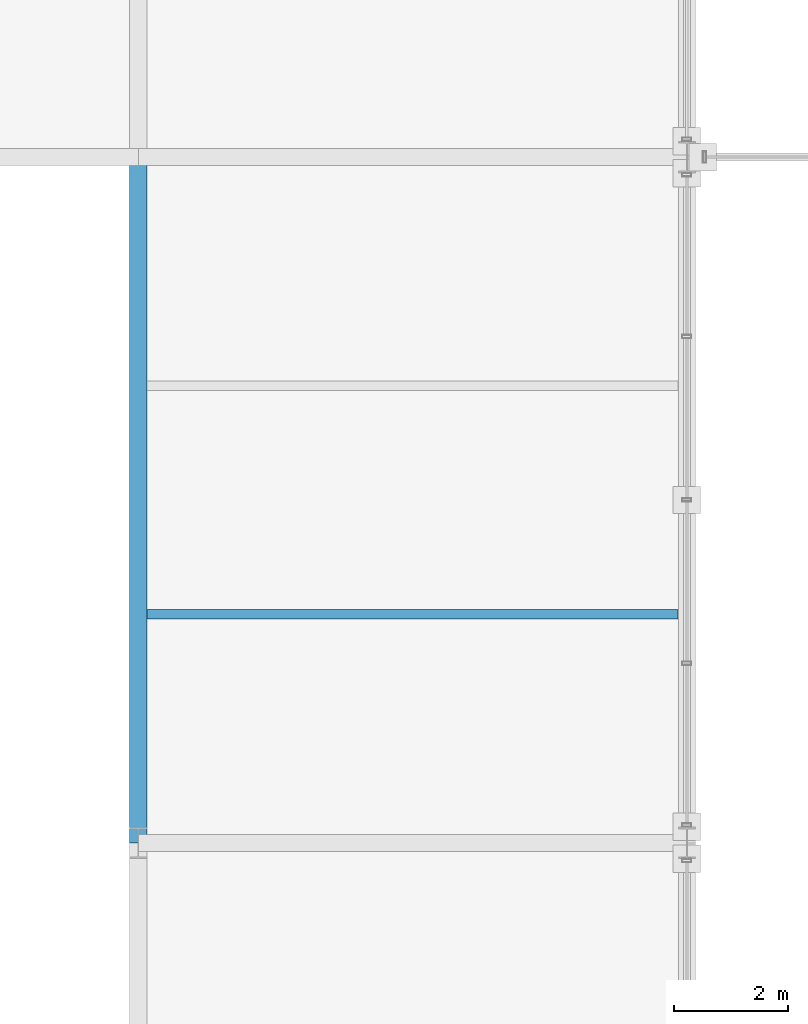
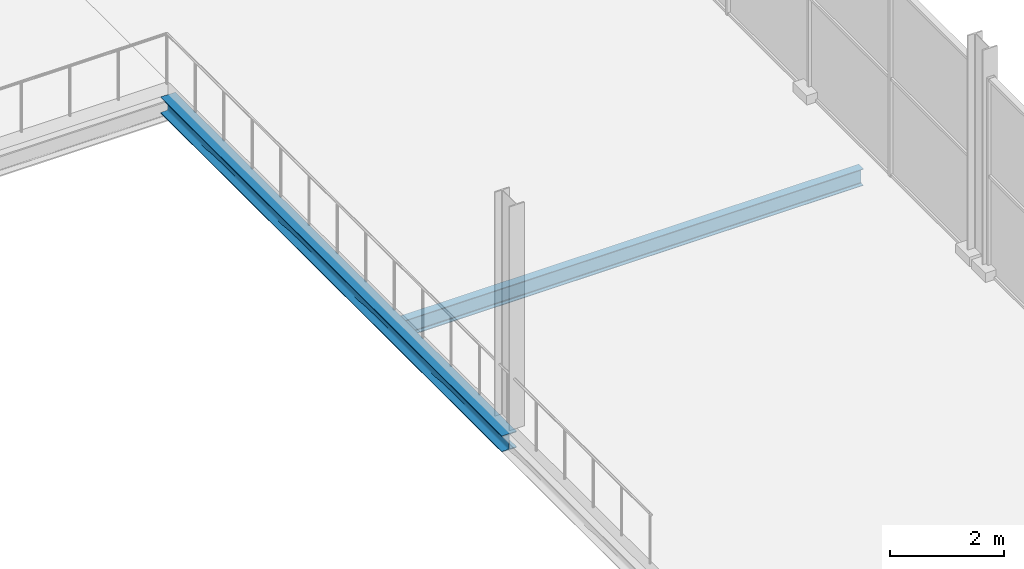
# One storey, part 74 of 159: 2 beams.
"""IFC4 building model written with IfcOpenShell, lengths in metres."""

import ifcopenshell
import ifcopenshell.guid

model = None  # the IFC model being written
_history = None  # IfcOwnerHistory: only IFC2X3 demands one
_inside = {}  # id of a spatial element -> (the spatial element, [elements in it])
_under = {}  # id of a project, library or spatial element -> (it, [spatial elements below it])
_declared = {}  # id of a project -> (the project, [libraries it declares])
_typed = {}  # id of a type object -> (the type object, [elements of that type])
_made_of = {}  # id of a material, layer set ... -> (it, [elements and type objects made of it])


def new_model(schema):
    """Start an empty IFC model of exactly this schema.

    Asked for "IFC4X3", IfcOpenShell would pick the latest addendum, in which some entities
    have other attributes; the version numbers below select the first issue.
    IFC2X3 requires an IfcOwnerHistory on every rooted entity: one is made here for all.
    """
    global model, _history
    if schema == "IFC4X3":
        model = ifcopenshell.file(schema_version=(4, 3, 0, 0))
    else:
        model = ifcopenshell.file(schema=schema)
    _inside.clear()
    _under.clear()
    _declared.clear()
    _typed.clear()
    _made_of.clear()
    _history = None
    if model.schema == "IFC2X3":
        org = make("IfcOrganization", Name="unknown")
        user = make(
            "IfcPersonAndOrganization",
            ThePerson=make("IfcPerson", FamilyName="unknown"),
            TheOrganization=org,
        )
        app = make(
            "IfcApplication",
            ApplicationDeveloper=org,
            Version="unknown",
            ApplicationFullName="unknown",
            ApplicationIdentifier="unknown",
        )
        _history = make(
            "IfcOwnerHistory",
            OwningUser=user,
            OwningApplication=app,
            ChangeAction="ADDED",
            CreationDate=0,
        )
    return model


def make(cls, **values):
    """One entity of the class cls with the attributes given. An attribute that is None is left unset."""
    return model.create_entity(
        cls, **{name: value for name, value in values.items() if value is not None}
    )


def rooted(cls, **values):
    """An entity with a GlobalId (a new one), such as an element, a storey or a relation."""
    return make(cls, GlobalId=ifcopenshell.guid.new(), OwnerHistory=_history, **values)


def si_unit(unit_type, name, prefix=None):
    """IfcSIUnit, for example si_unit("LENGTHUNIT", "METRE", prefix="MILLI")."""
    return make("IfcSIUnit", UnitType=unit_type, Prefix=prefix, Name=name)


def assignment(units):
    """IfcUnitAssignment: the units of a project."""
    return None if units is None else make("IfcUnitAssignment", Units=units)


def point(xyz):
    """IfcCartesianPoint."""
    return None if xyz is None else make("IfcCartesianPoint", Coordinates=xyz)


def direction(xyz):
    """IfcDirection."""
    return None if xyz is None else make("IfcDirection", DirectionRatios=xyz)


def frame(location, z_axis=None, x_axis=None):
    """IfcAxis2Placement3D, a coordinate frame: its origin and axes. An axis left out is left unset."""
    return make(
        "IfcAxis2Placement3D",
        Location=point(location),
        Axis=direction(z_axis),
        RefDirection=direction(x_axis),
    )


def frame_2d(location, x_axis=None):
    """IfcAxis2Placement2D, a coordinate frame in the plane: its origin and x axis."""
    return make(
        "IfcAxis2Placement2D", Location=point(location), RefDirection=direction(x_axis)
    )


def origin():
    """The frame at (0, 0, 0) with its axes left unset."""
    return frame((0.0, 0.0, 0.0))


def origin_2d():
    """The frame at (0, 0) in the plane with its x axis left unset."""
    return frame_2d((0.0, 0.0))


def place(relative_to, where):
    """IfcLocalPlacement: puts the frame where relative to a parent placement (None: the world)."""
    return make(
        "IfcLocalPlacement", PlacementRelTo=relative_to, RelativePlacement=where
    )


def context(
    kind, dimensions, precision=None, world=None, true_north=None, identifier=None
):
    """IfcGeometricRepresentationContext, for example the 3D "Model" context."""
    return make(
        "IfcGeometricRepresentationContext",
        ContextIdentifier=identifier,
        ContextType=kind,
        CoordinateSpaceDimension=dimensions,
        Precision=precision,
        WorldCoordinateSystem=world,
        TrueNorth=true_north,
    )


def subcontext(parent, identifier, kind, view, scale=None):
    """IfcGeometricRepresentationSubContext, for example "Body" below "Model"."""
    return make(
        "IfcGeometricRepresentationSubContext",
        ContextIdentifier=identifier,
        ContextType=kind,
        ParentContext=parent,
        TargetScale=scale,
        TargetView=view,
    )


def project(units=None, contexts=None):
    """IfcProject with its units and contexts."""
    return rooted(
        "IfcProject",
        Name="project",
        RepresentationContexts=contexts,
        UnitsInContext=assignment(units),
    )


def spatial(cls, under=None, at=None, **own):
    """A site, building, storey or space (cls), placed at a placement, below another one or the project."""
    s = rooted(cls, ObjectPlacement=at, **own)
    if under is not None:
        _under.setdefault(under.id(), (under, []))[1].append(s)
    return s


def profile(cls, at=None, kind="AREA", **sizes):
    """A parametric profile (cls). Its sizes go by their IFC names, for example OverallWidth=200.0."""
    return make(cls, ProfileType=kind, Position=at, **sizes)


def i_section(**sizes):
    """IfcIShapeProfileDef."""
    return profile("IfcIShapeProfileDef", **sizes)


def extrude(swept, where, along, depth):
    """IfcExtrudedAreaSolid: the profile swept, set in the frame where, extruded along a direction by depth."""
    return make(
        "IfcExtrudedAreaSolid",
        SweptArea=swept,
        Position=where,
        ExtrudedDirection=direction(along),
        Depth=depth,
    )


def shape(context_of_items, identifier, shape_type, items):
    """IfcShapeRepresentation: the items that make up one representation, for example the "Body"."""
    return make(
        "IfcShapeRepresentation",
        ContextOfItems=context_of_items,
        RepresentationIdentifier=identifier,
        RepresentationType=shape_type,
        Items=items,
    )


def material(Name=None, Category=None):
    """IfcMaterial."""
    return make("IfcMaterial", Name=Name, Category=Category)


def material_profile(
    of_material, cross_section, Name=None, Category=None, Priority=None
):
    """IfcMaterialProfile: a cross section and its material."""
    return make(
        "IfcMaterialProfile",
        Name=Name,
        Material=of_material,
        Profile=cross_section,
        Priority=Priority,
        Category=Category,
    )


def profile_set(profiles, Name=None, composite=None):
    """IfcMaterialProfileSet."""
    return make(
        "IfcMaterialProfileSet",
        Name=Name,
        MaterialProfiles=profiles,
        CompositeProfile=composite,
    )


def made_of(thing, what):
    """Note that an element or type object is made of a material, layer set ...; save() writes the relation."""
    if what is not None:
        _made_of.setdefault(what.id(), (what, []))[1].append(thing)
    return thing


def type_object(cls, material=None, **own):
    """A type object (cls), such as IfcWallType, which elements share."""
    return made_of(rooted(cls, **own), material)


def element(
    cls,
    number,
    at=None,
    inside=None,
    cuts=None,
    type_object=None,
    material=None,
    context=None,
    identifier="Body",
    shape_type=None,
    held_by="IfcProductDefinitionShape",
    body=None,
    shapes=None,
    **own,
):
    """One element of the class cls, such as IfcWall. Its Tag is "e" and its number.

    at: its placement. inside: the storey or other place that contains it. cuts: it is an
    opening in that element (IfcRelVoidsElement). A single representation is given by context,
    identifier, shape_type and body (its items); several are given by shapes. held_by: the class
    of the entity that holds the representations. save() writes the other relations.
    """
    e = rooted(cls, Tag="e%d" % number, ObjectPlacement=at, **own)
    if body is not None:
        shapes = [shape(context, identifier, shape_type, body)]
    if shapes is not None:
        e.Representation = make(held_by, Representations=shapes)
    if inside is not None:
        _inside.setdefault(inside.id(), (inside, []))[1].append(e)
    if cuts is not None:
        rooted(
            "IfcRelVoidsElement", RelatingBuildingElement=cuts, RelatedOpeningElement=e
        )
    if type_object is not None:
        _typed.setdefault(type_object.id(), (type_object, []))[1].append(e)
    return made_of(e, material)


def aggregate(whole, parts):
    """IfcRelAggregates: a whole, such as a stair, and the parts it consists of."""
    return rooted("IfcRelAggregates", RelatingObject=whole, RelatedObjects=parts)


def save(model, path):
    """Write the relations noted so far, then the file.

    IfcRelAggregates (storeys below a building ...), IfcRelContainedInSpatialStructure (elements
    in a storey), IfcRelDefinesByType, IfcRelAssociatesMaterial and IfcRelDeclares: one each for
    every whole, place, type object, material and project.
    """
    for whole, parts in _under.values():
        aggregate(whole, parts)
    for where, things in _inside.values():
        rooted(
            "IfcRelContainedInSpatialStructure",
            RelatedElements=things,
            RelatingStructure=where,
        )
    for kind, things in _typed.values():
        rooted("IfcRelDefinesByType", RelatedObjects=things, RelatingType=kind)
    for what, things in _made_of.values():
        rooted("IfcRelAssociatesMaterial", RelatedObjects=things, RelatingMaterial=what)
    for by, libraries in _declared.values():
        rooted("IfcRelDeclares", RelatingContext=by, RelatedDefinitions=libraries)
    model.write(path)


model = new_model("IFC4")

# Units and contexts
model_context = context("Model", 3, precision=1e-05, world=origin(), true_north=direction((0.0, 1.0)))
body_context = subcontext(model_context, "Body", "Model", "MODEL_VIEW")
ifc_project = project(units=[si_unit("LENGTHUNIT", "METRE"), si_unit("AREAUNIT", "SQUARE_METRE"), si_unit("VOLUMEUNIT", "CUBIC_METRE"), si_unit("PLANEANGLEUNIT", "RADIAN"), si_unit("MASSUNIT", "GRAM", prefix="KILO")], contexts=[model_context])

# Site, building, storey
site_placement = place(None, origin())
site = spatial("IfcSite", under=ifc_project, at=site_placement, CompositionType="ELEMENT")
building_placement = place(site_placement, origin())
building = spatial("IfcBuilding", under=site, at=building_placement, Name="Merenkruunu Market Hall", CompositionType="ELEMENT")
storey_placement = place(building_placement, frame((0.0, 0.0, 5.39990234375)))
storey = spatial("IfcBuildingStorey", under=building, at=storey_placement, Name="L01", CompositionType="ELEMENT", Elevation=5.39990234375)

# Beams
ifc_material = material(Name="Steel S355J2", Category="steel")
ifc_material_profile_1 = material_profile(ifc_material, i_section(OverallWidth=0.300048828125, OverallDepth=0.35009765625, WebThickness=0.010009765625, FlangeThickness=0.017578125, FilletRadius=0.027099609375, at=origin_2d()), Name="HEA 360")
ifc_profile_set_1 = profile_set([ifc_material_profile_1], Name="Steel S355J2")
beam_type_1 = type_object("IfcBeamType", Name="Primary Floor Girder B08", PredefinedType="BEAM", material=ifc_profile_set_1)
beam_1_placement = place(storey_placement, frame((48.0, 87.60009765625, -0.454833984375), z_axis=(0.0, 1.0, 0.0), x_axis=(-1.0, 0.0, 0.0)))
element("IfcBeam", 1, at=beam_1_placement, inside=storey, type_object=beam_type_1, Name="BM-L01-B08-0578", PredefinedType="BEAM", context=body_context, shape_type="SweptSolid", body=[
    extrude(i_section(OverallWidth=0.300048828125, OverallDepth=0.35009765625, WebThickness=0.010009765625, FlangeThickness=0.017578125, FilletRadius=0.027099609375, at=origin_2d()), origin(), (0.0, 0.0, 1.0), 12.0),
])
ifc_material_profile_2 = material_profile(ifc_material, i_section(OverallWidth=0.169921875, OverallDepth=0.360107421875, WebThickness=0.008056640625, FlangeThickness=0.0126953125, FilletRadius=0.01806640625, at=origin_2d()), Name="IPE 360")
ifc_profile_set_2 = profile_set([ifc_material_profile_2], Name="Steel S355J2")
beam_type_2 = type_object("IfcBeamType", Name="Secondary Floor Joist J03", PredefinedType="JOIST", material=ifc_profile_set_2)
beam_2_placement = place(storey_placement, frame((48.153076171875, 91.60009765625, -0.4599609375), z_axis=(1.0, 0.0, 0.0), x_axis=(0.0, 1.0, 0.0)))
element("IfcBeam", 2, at=beam_2_placement, inside=storey, type_object=beam_type_2, Name="BM-L01-J03-0672", PredefinedType="JOIST", context=body_context, shape_type="SweptSolid", body=[
    extrude(i_section(OverallWidth=0.169921875, OverallDepth=0.360107421875, WebThickness=0.008056640625, FlangeThickness=0.0126953125, FilletRadius=0.01806640625, at=origin_2d()), origin(), (0.0, 0.0, 1.0), 9.2939453125),
])

save(model, "model.ifc")
